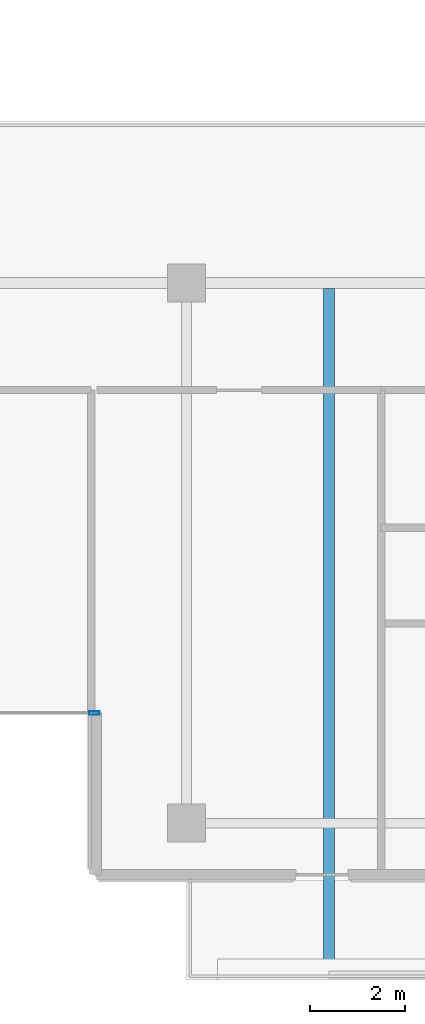
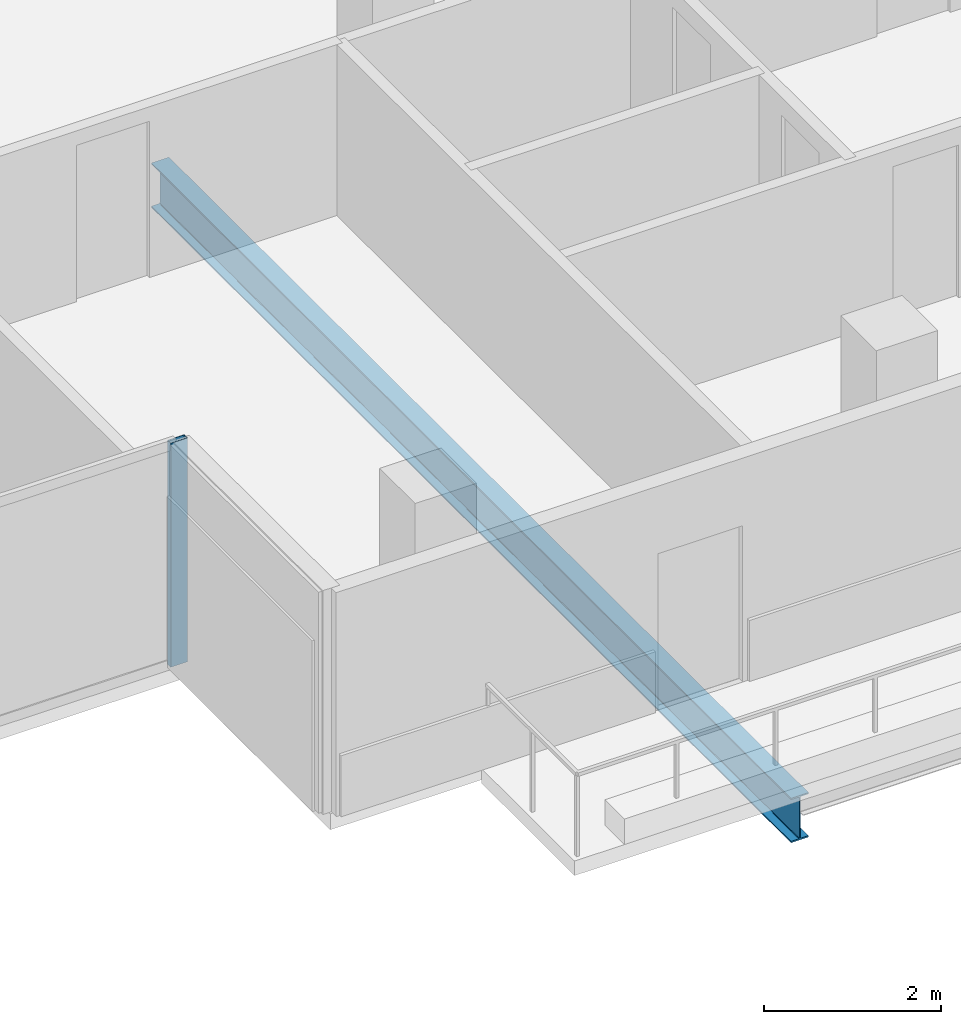
# One storey, part 6 of 29: 1 beam, 1 member, 1 element without a shape of its own.
"""IFC4 building model written with IfcOpenShell, lengths in metres."""

from ifc_helpers import new_model, si_unit, direction, frame, origin, origin_2d, place, context, subcontext, project, spatial, hollow_rectangle, i_section, extrude, material, layer, layer_set, material_profile, profile_set, type_object, element, aggregate, save


model = new_model("IFC4")

# Units and contexts
model_context = context("Model", 3, precision=1e-05, world=origin(), true_north=direction((0.0, 1.0)))
body_context = subcontext(model_context, "Body", "Model", "MODEL_VIEW")
ifc_project = project(units=[si_unit("LENGTHUNIT", "METRE"), si_unit("AREAUNIT", "SQUARE_METRE"), si_unit("VOLUMEUNIT", "CUBIC_METRE"), si_unit("PLANEANGLEUNIT", "RADIAN"), si_unit("MASSUNIT", "GRAM", prefix="KILO")], contexts=[model_context])

# Site, building, storey
site_placement = place(None, origin())
site = spatial("IfcSite", under=ifc_project, at=site_placement, CompositionType="ELEMENT")
building_placement = place(site_placement, origin())
building = spatial("IfcBuilding", under=site, at=building_placement, Name="Tanjung Sevakor Pilgrim Tower", CompositionType="ELEMENT")
storey_placement = place(building_placement, frame((0.0, 0.0, 188.429931640625)))
storey = spatial("IfcBuildingStorey", under=building, at=storey_placement, Name="L52", CompositionType="ELEMENT", Elevation=188.429931640625)

# Beam
ifc_material_1 = material(Name="Steel S355J2", Category="steel")
ifc_material_profile_1 = material_profile(ifc_material_1, i_section(OverallWidth=0.22900390625, OverallDepth=0.6123046875, WebThickness=0.011962890625, FlangeThickness=0.01953125, FilletRadius=0.0126953125, at=origin_2d()))
ifc_profile_set_1 = profile_set([ifc_material_profile_1], Name="Steel S355J2")
beam_type = type_object("IfcBeamType", Name="BM-B-G4-UB_610x229x125", PredefinedType="BEAM", material=ifc_profile_set_1)
beam_placement = place(storey_placement, frame((57.0, 24.485595703125, -0.526123046875), z_axis=(0.0, -1.0, 0.0), x_axis=(1.0, 0.0, 0.0)))
element("IfcBeam", 1, at=beam_placement, inside=storey, type_object=beam_type, Name="L52 Balcony Cantilever Beam MAIN-S2-1", PredefinedType="BEAM", context=body_context, shape_type="SweptSolid", body=[
    extrude(i_section(OverallWidth=0.22900390625, OverallDepth=0.6123046875, WebThickness=0.011962890625, FlangeThickness=0.01953125, FilletRadius=0.0126953125, at=origin_2d()), origin(), (0.0, 0.0, 1.0), 14.41552734375),
])

# Curtain wall, member
ifc_material_2 = material(Name="Aluminium 6063-T6 and Low-E Glass", Category="aluminium")
ifc_layer = layer(ifc_material_2, 0.179931640625)
ifc_layer_set = layer_set([ifc_layer], Name="CW-SYS-CLEFT")
curtain_wall_type = type_object("IfcCurtainWallType", Name="CW-SYS-CLEFT", PredefinedType="NOTDEFINED", material=ifc_layer_set)
curtain_wall_placement = place(storey_placement, origin())
curtain_wall = element("IfcCurtainWall", 2, at=curtain_wall_placement, inside=storey, type_object=curtain_wall_type, Name="L52 Curtain Wall CW-CLF-L52-2", PredefinedType="NOTDEFINED")
ifc_material_3 = material(Name="Aluminium 6063-T6", Category="aluminium")
ifc_material_profile_2 = material_profile(ifc_material_3, hollow_rectangle(XDim=0.074951171875, YDim=0.219970703125, WallThickness=0.0048828125, at=origin_2d()))
ifc_profile_set_2 = profile_set([ifc_material_profile_2], Name="Aluminium 6063-T6")
member_type = type_object("IfcMemberType", Name="TYPE-CWM-2", PredefinedType="MULLION", material=ifc_profile_set_2)
member_placement = place(storey_placement, frame((52.072509765625, 15.56005859375, 0.0), z_axis=(0.0, 0.0, 1.0), x_axis=(0.0, 1.0, 0.0)))
member = element("IfcMember", 3, at=member_placement, type_object=member_type, Name="CW-CLF mullion 2", PredefinedType="MULLION", context=body_context, shape_type="SweptSolid", body=[
    extrude(hollow_rectangle(XDim=0.074951171875, YDim=0.219970703125, WallThickness=0.0048828125, at=origin_2d()), origin(), (0.0, 0.0, 1.0), 3.080078125),
])
aggregate(curtain_wall, [member])

save(model, "model.ifc")
